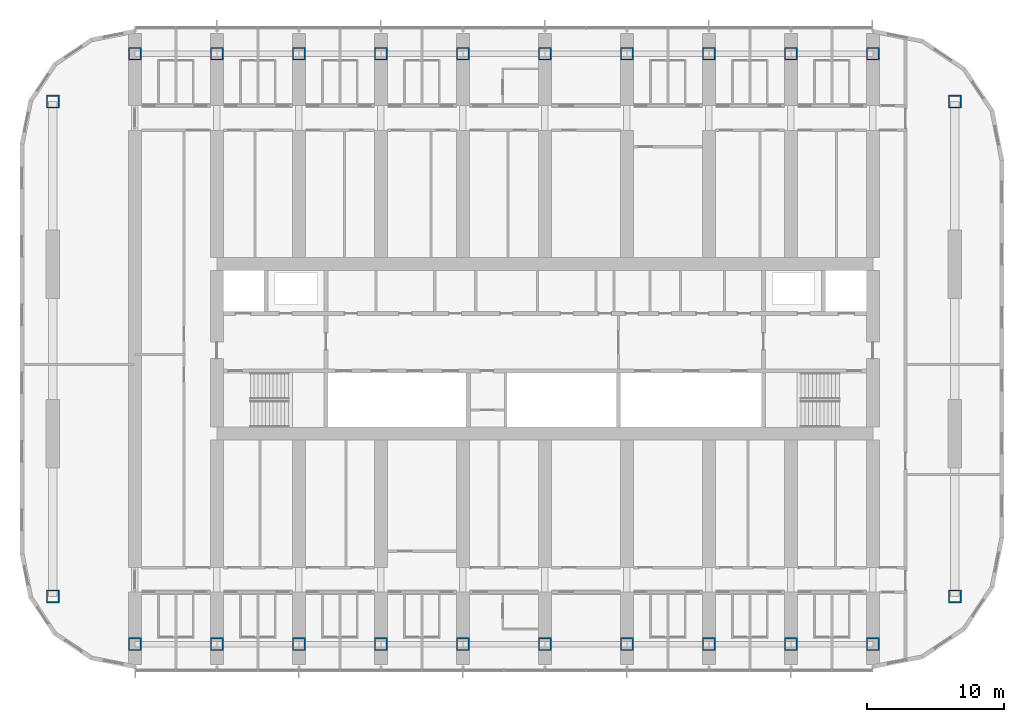
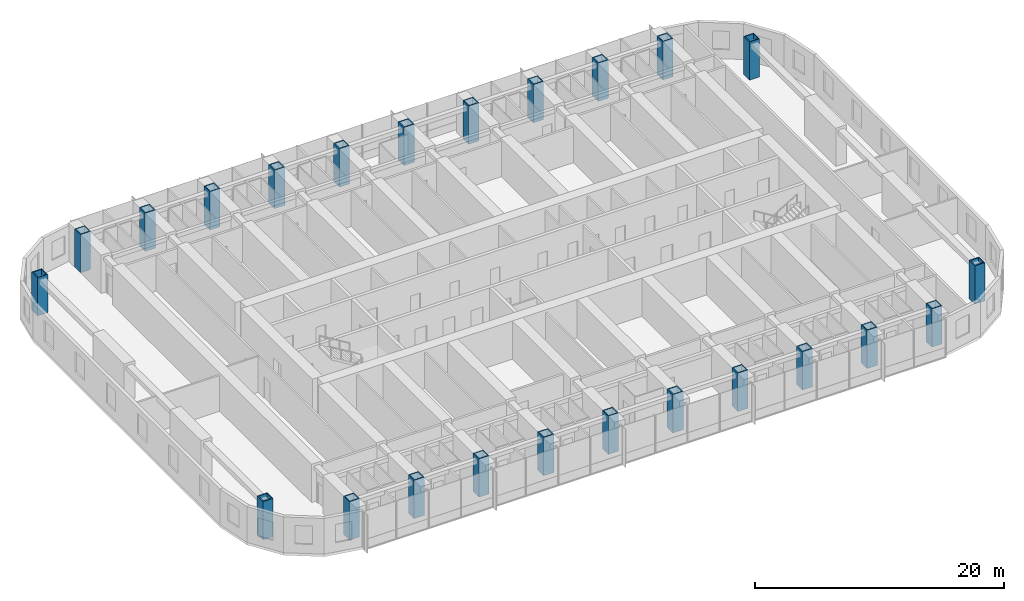
# One storey, part 1 of 22: 24 columns.
"""IFC4 building model written with IfcOpenShell, lengths in metres."""

from ifc_helpers import new_model, si_unit, direction, frame, origin, origin_2d, place, context, subcontext, project, spatial, hollow_rectangle, extrude, material, material_profile, profile_set, type_object, element, save


model = new_model("IFC4")

# Units and contexts
model_context = context("Model", 3, precision=1e-05, world=origin(), true_north=direction((0.0, 1.0)))
body_context = subcontext(model_context, "Body", "Model", "MODEL_VIEW")
ifc_project = project(units=[si_unit("LENGTHUNIT", "METRE"), si_unit("AREAUNIT", "SQUARE_METRE"), si_unit("VOLUMEUNIT", "CUBIC_METRE"), si_unit("PLANEANGLEUNIT", "RADIAN"), si_unit("MASSUNIT", "GRAM", prefix="KILO")], contexts=[model_context])

# Site, building, storey
site_placement = place(None, origin())
site = spatial("IfcSite", under=ifc_project, at=site_placement, CompositionType="ELEMENT")
building_placement = place(site_placement, origin())
building = spatial("IfcBuilding", under=site, at=building_placement, Name="Orbita Commons", CompositionType="ELEMENT")
storey_placement = place(building_placement, frame((0.0, 0.0, 121.89990234375)))
storey = spatial("IfcBuildingStorey", under=building, at=storey_placement, Name="L30", CompositionType="ELEMENT", Elevation=121.89990234375)

# Columns
ifc_material = material(Name="Steel ASTM A572 Gr 50 welded plate", Category="steel")
ifc_material_profile = material_profile(ifc_material, hollow_rectangle(XDim=0.949951171875, YDim=0.949951171875, WallThickness=0.094970703125, at=origin_2d()), Name="BOX 950x950x95")
ifc_profile_set = profile_set([ifc_material_profile], Name="Steel ASTM A572 Gr 50 welded plate")
column_type = type_object("IfcColumnType", Name="Steel column BOX 950x950x95", PredefinedType="COLUMN", material=ifc_profile_set)
for number, where, z_axis, x_axis, name in (
    (1, (12.0, 10.39990234375, 0.0), (0.0, 0.0, 1.0), (1.0, 0.0, 0.0), "Column 3/B L30"),
    (2, (12.0, 53.60009765625, 0.0), (0.0, 0.0, 1.0), (1.0, 0.0, 0.0), "Column 3/E L30"),
    (3, (18.0, 10.39990234375, 0.0), (0.0, 0.0, 1.0), (1.0, 0.0, 0.0), "Column 4/B L30"),
    (4, (18.0, 53.60009765625, 0.0), (0.0, 0.0, 1.0), (1.0, 0.0, 0.0), "Column 4/E L30"),
    (5, (24.0, 10.39990234375, 0.0), (0.0, 0.0, 1.0), (1.0, 0.0, 0.0), "Column 5/B L30"),
    (6, (24.0, 53.60009765625, 0.0), (0.0, 0.0, 1.0), (1.0, 0.0, 0.0), "Column 5/E L30"),
    (7, (30.0, 10.39990234375, 0.0), (0.0, 0.0, 1.0), (1.0, 0.0, 0.0), "Column 6/B L30"),
    (8, (30.0, 53.60009765625, 0.0), (0.0, 0.0, 1.0), (1.0, 0.0, 0.0), "Column 6/E L30"),
    (9, (36.0, 10.39990234375, 0.0), (0.0, 0.0, 1.0), (1.0, 0.0, 0.0), "Column 7/B L30"),
    (10, (36.0, 53.60009765625, 0.0), (0.0, 0.0, 1.0), (1.0, 0.0, 0.0), "Column 7/E L30"),
    (11, (42.0, 10.39990234375, 0.0), (0.0, 0.0, 1.0), (1.0, 0.0, 0.0), "Column 8/B L30"),
    (12, (42.0, 53.60009765625, 0.0), (0.0, 0.0, 1.0), (1.0, 0.0, 0.0), "Column 8/E L30"),
    (13, (48.0, 10.39990234375, 0.0), (0.0, 0.0, 1.0), (1.0, 0.0, 0.0), "Column 9/B L30"),
    (14, (48.0, 53.60009765625, 0.0), (0.0, 0.0, 1.0), (1.0, 0.0, 0.0), "Column 9/E L30"),
    (15, (54.0, 10.39990234375, 0.0), (0.0, 0.0, 1.0), (1.0, 0.0, 0.0), "Column 10/B L30"),
    (16, (54.0, 53.60009765625, 0.0), (0.0, 0.0, 1.0), (1.0, 0.0, 0.0), "Column 10/E L30"),
    (17, (60.0, 10.39990234375, 0.0), (0.0, 0.0, 1.0), (1.0, 0.0, 0.0), "Column 11/B L30"),
    (18, (60.0, 53.60009765625, 0.0), (0.0, 0.0, 1.0), (1.0, 0.0, 0.0), "Column 11/E L30"),
    (19, (66.0, 10.39990234375, 0.0), (0.0, 0.0, 1.0), (1.0, 0.0, 0.0), "Column 12/B L30"),
    (20, (66.0, 53.60009765625, 0.0), (0.0, 0.0, 1.0), (1.0, 0.0, 0.0), "Column 12/E L30"),
    (21, (6.0, 13.89990234375, 0.0), (0.0, 0.0, 1.0), (1.0, 0.0, 0.0), "Column 2/13.9 L30"),
    (22, (6.0, 50.10009765625, 0.0), (0.0, 0.0, 1.0), (1.0, 0.0, 0.0), "Column 2/50.1 L30"),
    (23, (72.0, 13.89990234375, 0.0), (0.0, 0.0, 1.0), (1.0, 0.0, 0.0), "Column 13/13.9 L30"),
    (24, (72.0, 50.10009765625, 0.0), (0.0, 0.0, 1.0), (1.0, 0.0, 0.0), "Column 13/50.1 L30"),
):
    element("IfcColumn", number, at=place(storey_placement, frame(where, z_axis=z_axis, x_axis=x_axis)), inside=storey, type_object=column_type, Name=name, PredefinedType="COLUMN", context=body_context, shape_type="SweptSolid", body=[
        extrude(hollow_rectangle(XDim=0.949951171875, YDim=0.949951171875, WallThickness=0.094970703125, at=origin_2d()), origin(), (0.0, 0.0, 1.0), 3.75),
    ])

save(model, "model.ifc")
